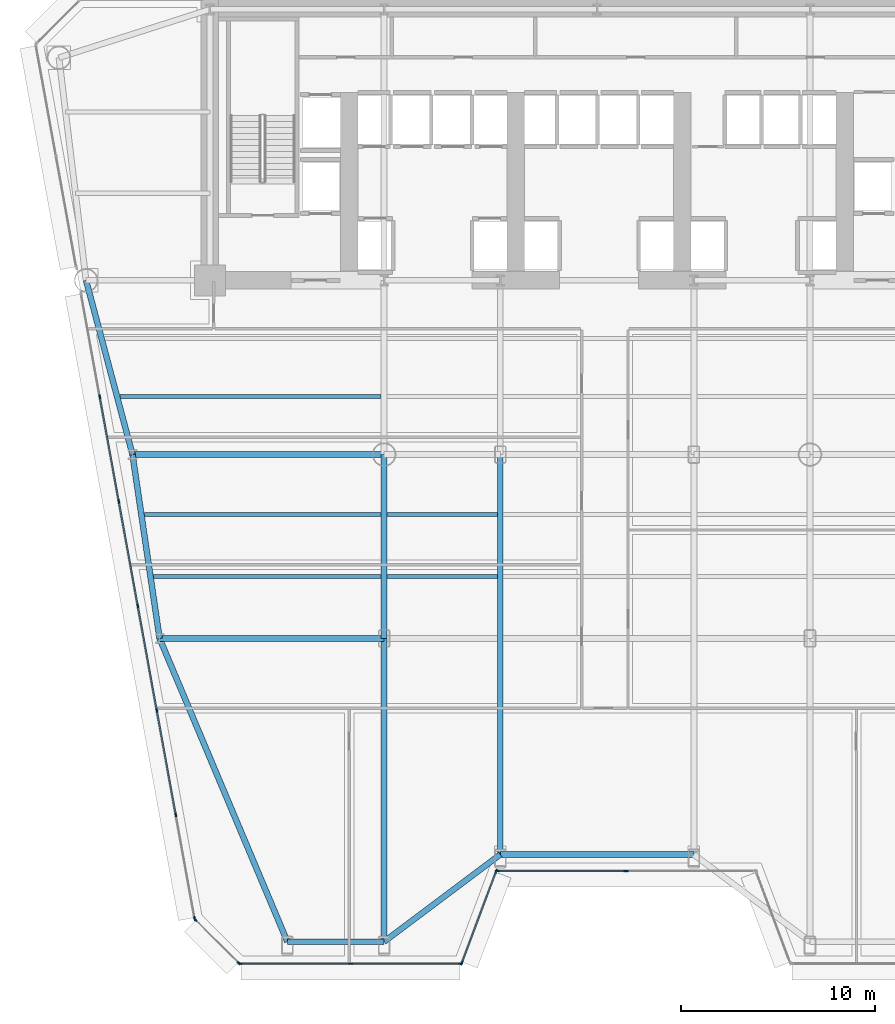
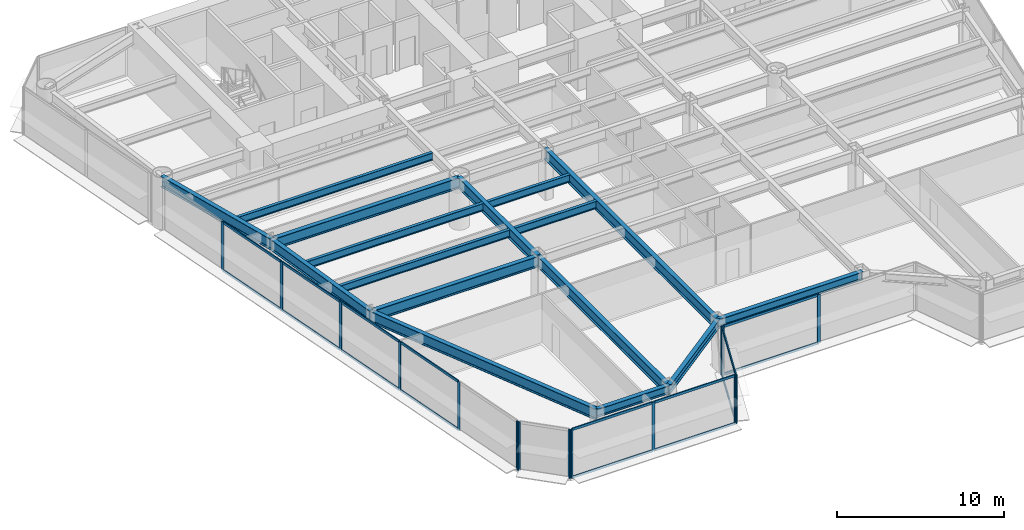
# One storey, part 2 of 14: 31 members, 16 beams, 5 elements without a shape of their own.
"""IFC4 building model written with IfcOpenShell, lengths in metres."""

from ifc_helpers import new_model, si_unit, direction, frame, origin, origin_2d, place, context, subcontext, project, spatial, rectangle, i_section, extrude, source, transform, mapped, material, layer, layer_set, material_profile, profile_set, type_object, element, aggregate, save


model = new_model("IFC4")

# Units and contexts
model_context = context("Model", 3, precision=1e-05, world=origin(), true_north=direction((0.0, 1.0)))
body_context = subcontext(model_context, "Body", "Model", "MODEL_VIEW")
ifc_project = project(units=[si_unit("LENGTHUNIT", "METRE"), si_unit("AREAUNIT", "SQUARE_METRE"), si_unit("VOLUMEUNIT", "CUBIC_METRE"), si_unit("PLANEANGLEUNIT", "RADIAN"), si_unit("MASSUNIT", "GRAM", prefix="KILO")], contexts=[model_context])

# Site, building, storey
site_placement = place(None, origin())
site = spatial("IfcSite", under=ifc_project, at=site_placement, CompositionType="ELEMENT")
building_placement = place(site_placement, origin())
building = spatial("IfcBuilding", under=site, at=building_placement, Name="Vaeldorn Concourse Tower", CompositionType="ELEMENT")
storey_placement = place(building_placement, frame((0.0, 0.0, 37.800048828125)))
storey = spatial("IfcBuildingStorey", under=building, at=storey_placement, Name="L09", CompositionType="ELEMENT", Elevation=37.800048828125)

# Beams
ifc_material_1 = material(Name="Steel S355", Category="steel")
ifc_material_profile_1 = material_profile(ifc_material_1, i_section(OverallWidth=0.300048828125, OverallDepth=0.800048828125, WebThickness=0.017578125, FlangeThickness=0.032958984375, FilletRadius=0.030029296875, at=origin_2d()), Name="HEB 800")
ifc_profile_set_1 = profile_set([ifc_material_profile_1], Name="Steel S355")
beam_type_1 = type_object("IfcBeamType", Name="BM-PG-HEB800", PredefinedType="BEAM", material=ifc_profile_set_1)
shared_shape_1 = source(origin(), body_context, "Body", "SweptSolid", [
    extrude(i_section(OverallWidth=0.300048828125, OverallDepth=0.800048828125, WebThickness=0.017578125, FlangeThickness=0.032958984375, FilletRadius=0.030029296875, at=origin_2d()), origin(), (0.0, 0.0, 1.0), 9.314453125),
])
beam_1_placement = place(storey_placement, frame((7.60009765625, 36.5, 3.179931640625), z_axis=(0.257652862255, -0.966237549763, 0.0), x_axis=(0.966237549763, 0.257652862255, 0.0)))
element("IfcBeam", 1, at=beam_1_placement, inside=storey, type_object=beam_type_1, Name="Beam BM-L09-C-NW2-C-FLW1", PredefinedType="BEAM", context=body_context, shape_type="MappedRepresentation", body=[
    mapped(shared_shape_1, transform((0.0, 0.0, 0.0), scale=1.0)),
])
shared_shape_2 = source(origin(), body_context, "Body", "SweptSolid", [
    extrude(i_section(OverallWidth=0.300048828125, OverallDepth=0.800048828125, WebThickness=0.017578125, FlangeThickness=0.032958984375, FilletRadius=0.030029296875, at=origin_2d()), origin(), (0.0, 0.0, 1.0), 13.0),
])
beam_2_placement = place(storey_placement, frame((10.0, 27.5, 3.179931640625), z_axis=(1.0, 0.0, 0.0), x_axis=(0.0, 1.0, 0.0)))
element("IfcBeam", 2, at=beam_2_placement, inside=storey, type_object=beam_type_1, Name="Beam BM-L09-C-FLW1-C-TW1", PredefinedType="BEAM", context=body_context, shape_type="MappedRepresentation", body=[
    mapped(shared_shape_2, transform((0.0, 0.0, 0.0), scale=1.0)),
])
ifc_material_profile_2 = material_profile(ifc_material_1, i_section(OverallWidth=0.300048828125, OverallDepth=0.60009765625, WebThickness=0.015380859375, FlangeThickness=0.030029296875, FilletRadius=0.027099609375, at=origin_2d()), Name="HEB 600")
ifc_profile_set_2 = profile_set([ifc_material_profile_2], Name="Steel S355")
beam_type_2 = type_object("IfcBeamType", Name="BM-SP-HEB600", PredefinedType="SPANDREL", material=ifc_profile_set_2)
shared_shape_3 = source(origin(), body_context, "Body", "SweptSolid", [
    extrude(i_section(OverallWidth=0.300048828125, OverallDepth=0.60009765625, WebThickness=0.015380859375, FlangeThickness=0.030029296875, FilletRadius=0.027099609375, at=origin_2d()), origin(), (0.0, 0.0, 1.0), 5.0),
])
beam_3_placement = place(storey_placement, frame((18.0, 2.33447265625, 3.280029296875), z_axis=(1.0, 0.0, 0.0), x_axis=(0.0, 1.0, 0.0)))
element("IfcBeam", 3, at=beam_3_placement, inside=storey, type_object=beam_type_2, Name="Beam BM-L09-C-SF1-C-SF2", PredefinedType="SPANDREL", context=body_context, shape_type="MappedRepresentation", body=[
    mapped(shared_shape_3, transform((0.0, 0.0, 0.0), scale=1.0)),
])
shared_shape_4 = source(origin(), body_context, "Body", "SweptSolid", [
    extrude(i_section(OverallWidth=0.300048828125, OverallDepth=0.60009765625, WebThickness=0.015380859375, FlangeThickness=0.030029296875, FilletRadius=0.027099609375, at=origin_2d()), origin(), (0.0, 0.0, 1.0), 7.5),
])
beam_4_placement = place(storey_placement, frame((23.0, 2.33447265625, 3.280029296875), z_axis=(0.8, 0.6, 0.0), x_axis=(-0.6, 0.8, 0.0)))
element("IfcBeam", 4, at=beam_4_placement, inside=storey, type_object=beam_type_2, Name="Beam BM-L09-C-SF2-C-SF3", PredefinedType="SPANDREL", context=body_context, shape_type="MappedRepresentation", body=[
    mapped(shared_shape_4, transform((0.0, 0.0, 0.0), scale=1.0)),
])
shared_shape_5 = source(origin(), body_context, "Body", "SweptSolid", [
    extrude(i_section(OverallWidth=0.300048828125, OverallDepth=0.60009765625, WebThickness=0.015380859375, FlangeThickness=0.030029296875, FilletRadius=0.027099609375, at=origin_2d()), origin(), (0.0, 0.0, 1.0), 10.0),
])
beam_5_placement = place(storey_placement, frame((29.0, 6.83447265625, 3.280029296875), z_axis=(1.0, 0.0, 0.0), x_axis=(0.0, 1.0, 0.0)))
element("IfcBeam", 5, at=beam_5_placement, inside=storey, type_object=beam_type_2, Name="Beam BM-L09-C-SF3-C-SF4", PredefinedType="SPANDREL", context=body_context, shape_type="MappedRepresentation", body=[
    mapped(shared_shape_5, transform((0.0, 0.0, 0.0), scale=1.0)),
])
shared_shape_6 = source(origin(), body_context, "Body", "SweptSolid", [
    extrude(i_section(OverallWidth=0.300048828125, OverallDepth=0.800048828125, WebThickness=0.017578125, FlangeThickness=0.032958984375, FilletRadius=0.030029296875, at=origin_2d()), origin(), (0.0, 0.0, 1.0), 9.6025390625),
])
beam_6_placement = place(storey_placement, frame((10.0, 27.5, 3.179931640625), z_axis=(0.145783835977, -0.989316467652, 0.0), x_axis=(0.989316467652, 0.145783835977, 0.0)))
element("IfcBeam", 6, at=beam_6_placement, inside=storey, type_object=beam_type_1, Name="Beam BM-L09-C-FLW1-C-FLW2", PredefinedType="BEAM", context=body_context, shape_type="MappedRepresentation", body=[
    mapped(shared_shape_6, transform((0.0, 0.0, 0.0), scale=1.0)),
])
shared_shape_7 = source(origin(), body_context, "Body", "SweptSolid", [
    extrude(i_section(OverallWidth=0.300048828125, OverallDepth=0.800048828125, WebThickness=0.017578125, FlangeThickness=0.032958984375, FilletRadius=0.030029296875, at=origin_2d()), origin(), (0.0, 0.0, 1.0), 11.60009765625),
])
beam_7_placement = place(storey_placement, frame((11.39990234375, 18.0, 3.179931640625), z_axis=(1.0, 0.0, 0.0), x_axis=(0.0, 1.0, 0.0)))
element("IfcBeam", 7, at=beam_7_placement, inside=storey, type_object=beam_type_1, Name="Beam BM-L09-C-FLW2-C-TW5", PredefinedType="BEAM", context=body_context, shape_type="MappedRepresentation", body=[
    mapped(shared_shape_7, transform((0.0, 0.0, 0.0), scale=1.0)),
])
shared_shape_8 = source(origin(), body_context, "Body", "SweptSolid", [
    extrude(i_section(OverallWidth=0.300048828125, OverallDepth=0.800048828125, WebThickness=0.017578125, FlangeThickness=0.032958984375, FilletRadius=0.030029296875, at=origin_2d()), origin(), (0.0, 0.0, 1.0), 9.5),
])
beam_8_placement = place(storey_placement, frame((23.0, 18.0, 3.179931640625), z_axis=(0.0, 1.0, 0.0), x_axis=(-1.0, 0.0, 0.0)))
element("IfcBeam", 8, at=beam_8_placement, inside=storey, type_object=beam_type_1, Name="Beam BM-L09-C-TW5-C-TW1", PredefinedType="BEAM", context=body_context, shape_type="MappedRepresentation", body=[
    mapped(shared_shape_8, transform((0.0, 0.0, 0.0), scale=1.0)),
])
ifc_material_profile_3 = material_profile(ifc_material_1, i_section(OverallWidth=0.2099609375, OverallDepth=0.550048828125, WebThickness=0.010986328125, FlangeThickness=0.01708984375, FilletRadius=0.02392578125, at=origin_2d()), Name="IPE 550")
ifc_profile_set_3 = profile_set([ifc_material_profile_3], Name="Steel S355")
beam_type_3 = type_object("IfcBeamType", Name="BM-JS-IPE550", PredefinedType="JOIST", material=ifc_profile_set_3)
shared_shape_9 = source(origin(), body_context, "Body", "SweptSolid", [
    extrude(i_section(OverallWidth=0.2099609375, OverallDepth=0.550048828125, WebThickness=0.010986328125, FlangeThickness=0.01708984375, FilletRadius=0.02392578125, at=origin_2d()), origin(), (0.0, 0.0, 1.0), 11.771728515625),
])
beam_9_placement = place(storey_placement, frame((11.078369140625, 21.199951171875, 3.304931640625), z_axis=(1.0, 0.0, 0.0), x_axis=(0.0, 1.0, 0.0)))
element("IfcBeam", 9, at=beam_9_placement, inside=storey, type_object=beam_type_3, Name="Beam JS-L09-W1-212", PredefinedType="JOIST", context=body_context, shape_type="MappedRepresentation", body=[
    mapped(shared_shape_9, transform((0.0, 0.0, 0.0), scale=1.0)),
])
shared_shape_10 = source(origin(), body_context, "Body", "SweptSolid", [
    extrude(i_section(OverallWidth=0.2099609375, OverallDepth=0.550048828125, WebThickness=0.010986328125, FlangeThickness=0.01708984375, FilletRadius=0.02392578125, at=origin_2d()), origin(), (0.0, 0.0, 1.0), 5.7001953125),
])
for number, where, z_axis, x_axis, name in (
    (10, (23.14990234375, 21.199951171875, 3.304931640625), (1.0, 0.0, 0.0), (0.0, 1.0, 0.0), "Beam JS-L09-W2-212"),
    (11, (23.14990234375, 24.39990234375, 3.304931640625), (1.0, 0.0, 0.0), (0.0, 1.0, 0.0), "Beam JS-L09-W2-244"),
):
    element("IfcBeam", number, at=place(storey_placement, frame(where, z_axis=z_axis, x_axis=x_axis)), inside=storey, type_object=beam_type_3, Name=name, PredefinedType="JOIST", context=body_context, shape_type="MappedRepresentation", body=[
        mapped(shared_shape_10, transform((0.0, 0.0, 0.0), scale=1.0)),
    ])
shared_shape_11 = source(origin(), body_context, "Body", "SweptSolid", [
    extrude(i_section(OverallWidth=0.2099609375, OverallDepth=0.550048828125, WebThickness=0.010986328125, FlangeThickness=0.01708984375, FilletRadius=0.02392578125, at=origin_2d()), origin(), (0.0, 0.0, 1.0), 12.243408203125),
])
beam_10_placement = place(storey_placement, frame((10.606689453125, 24.39990234375, 3.304931640625), z_axis=(1.0, 0.0, 0.0), x_axis=(0.0, 1.0, 0.0)))
element("IfcBeam", 12, at=beam_10_placement, inside=storey, type_object=beam_type_3, Name="Beam JS-L09-W1-244", PredefinedType="JOIST", context=body_context, shape_type="MappedRepresentation", body=[
    mapped(shared_shape_11, transform((0.0, 0.0, 0.0), scale=1.0)),
])
shared_shape_12 = source(origin(), body_context, "Body", "SweptSolid", [
    extrude(i_section(OverallWidth=0.2099609375, OverallDepth=0.550048828125, WebThickness=0.010986328125, FlangeThickness=0.01708984375, FilletRadius=0.02392578125, at=origin_2d()), origin(), (0.0, 0.0, 1.0), 13.5),
])
beam_11_placement = place(storey_placement, frame((9.35009765625, 30.5, 3.304931640625), z_axis=(1.0, 0.0, 0.0), x_axis=(0.0, 1.0, 0.0)))
element("IfcBeam", 13, at=beam_11_placement, inside=storey, type_object=beam_type_3, Name="Beam JS-L09-W1-305", PredefinedType="JOIST", context=body_context, shape_type="MappedRepresentation", body=[
    mapped(shared_shape_12, transform((0.0, 0.0, 0.0), scale=1.0)),
])
shared_shape_13 = source(origin(), body_context, "Body", "SweptSolid", [
    extrude(i_section(OverallWidth=0.300048828125, OverallDepth=0.800048828125, WebThickness=0.017578125, FlangeThickness=0.032958984375, FilletRadius=0.030029296875, at=origin_2d()), origin(), (0.0, 0.0, 1.0), 16.9990234375),
])
beam_12_placement = place(storey_placement, frame((18.0, 2.33447265625, 3.179931640625), z_axis=(-0.388261166886, 0.921549383532, 0.0), x_axis=(-0.921549383532, -0.388261166886, 0.0)))
element("IfcBeam", 14, at=beam_12_placement, inside=storey, type_object=beam_type_1, Name="Beam BM-L09-C-SF1-C-FLW2", PredefinedType="BEAM", context=body_context, shape_type="MappedRepresentation", body=[
    mapped(shared_shape_13, transform((0.0, 0.0, 0.0), scale=1.0)),
])
shared_shape_14 = source(origin(), body_context, "Body", "SweptSolid", [
    extrude(i_section(OverallWidth=0.300048828125, OverallDepth=0.800048828125, WebThickness=0.017578125, FlangeThickness=0.032958984375, FilletRadius=0.030029296875, at=origin_2d()), origin(), (0.0, 0.0, 1.0), 15.66552734375),
])
beam_13_placement = place(storey_placement, frame((23.0, 2.33447265625, 3.179931640625), z_axis=(0.0, 1.0, 0.0), x_axis=(-1.0, 0.0, 0.0)))
element("IfcBeam", 15, at=beam_13_placement, inside=storey, type_object=beam_type_1, Name="Beam BM-L09-C-SF2-C-TW5", PredefinedType="BEAM", context=body_context, shape_type="MappedRepresentation", body=[
    mapped(shared_shape_14, transform((0.0, 0.0, 0.0), scale=1.0)),
])
shared_shape_15 = source(origin(), body_context, "Body", "SweptSolid", [
    extrude(i_section(OverallWidth=0.300048828125, OverallDepth=0.800048828125, WebThickness=0.017578125, FlangeThickness=0.032958984375, FilletRadius=0.030029296875, at=origin_2d()), origin(), (0.0, 0.0, 1.0), 20.66552734375),
])
beam_14_placement = place(storey_placement, frame((29.0, 6.83447265625, 3.179931640625), z_axis=(0.0, 1.0, 0.0), x_axis=(-1.0, 0.0, 0.0)))
element("IfcBeam", 16, at=beam_14_placement, inside=storey, type_object=beam_type_1, Name="Beam BM-L09-C-SF3-C-TW2", PredefinedType="BEAM", context=body_context, shape_type="MappedRepresentation", body=[
    mapped(shared_shape_15, transform((0.0, 0.0, 0.0), scale=1.0)),
])

# Curtain wall, members
ifc_material_2 = material(Name="Anodised Bronze Aluminium", Category="aluminium")
ifc_layer = layer(ifc_material_2, 0.219970703125)
ifc_layer_set = layer_set([ifc_layer], Name="Anodised Bronze Aluminium")
curtain_wall_type = type_object("IfcCurtainWallType", Name="CW-SYS-01", PredefinedType="NOTDEFINED", material=ifc_layer_set)
curtain_wall_1_placement = place(storey_placement, origin())
curtain_wall_1 = element("IfcCurtainWall", 17, at=curtain_wall_1_placement, inside=storey, type_object=curtain_wall_type, Name="Unitised Curtain Wall CW-L09-E01-1", PredefinedType="NOTDEFINED")
ifc_material_profile_4 = material_profile(ifc_material_2, rectangle(XDim=0.074951171875, YDim=0.219970703125, at=origin_2d()), Name="CWM 75x220")
ifc_profile_set_4 = profile_set([ifc_material_profile_4], Name="Anodised Bronze Aluminium")
member_type_1 = type_object("IfcMemberType", Name="CWM-BRONZE-220", PredefinedType="MULLION", material=ifc_profile_set_4)
shared_shape_16 = source(origin(), body_context, "Body", "SweptSolid", [
    extrude(rectangle(XDim=0.074951171875, YDim=0.219970703125, at=origin_2d()), origin(), (0.0, 0.0, 1.0), 3.579833984375),
])
member_1_placement = place(storey_placement, frame((15.555419921875, 1.1953125, 0.0), z_axis=(0.0, 0.0, 1.0), x_axis=(0.0, 1.0, 0.0)))
member_1 = element("IfcMember", 18, at=member_1_placement, type_object=member_type_1, Name="CW-01 mullion 1", PredefinedType="MULLION", context=body_context, shape_type="MappedRepresentation", body=[
    mapped(shared_shape_16, transform((0.0, 0.0, 0.0), scale=1.0)),
])
member_2_placement = place(storey_placement, frame((21.2587890625, 1.1953125, 0.0), z_axis=(0.0, 0.0, 1.0), x_axis=(0.0, 1.0, 0.0)))
member_2 = element("IfcMember", 19, at=member_2_placement, type_object=member_type_1, Name="CW-01 mullion 2", PredefinedType="MULLION", context=body_context, shape_type="MappedRepresentation", body=[
    mapped(shared_shape_16, transform((0.0, 0.0, 0.0), scale=1.0)),
])
member_3_placement = place(storey_placement, frame((26.96240234375, 1.1953125, 0.0), z_axis=(0.0, 0.0, 1.0), x_axis=(0.0, 1.0, 0.0)))
member_3 = element("IfcMember", 20, at=member_3_placement, type_object=member_type_1, Name="CW-01 mullion 3", PredefinedType="MULLION", context=body_context, shape_type="MappedRepresentation", body=[
    mapped(shared_shape_16, transform((0.0, 0.0, 0.0), scale=1.0)),
])

curtain_wall_2_placement = place(storey_placement, origin())
curtain_wall_2 = element("IfcCurtainWall", 21, at=curtain_wall_2_placement, inside=storey, type_object=curtain_wall_type, Name="Unitised Curtain Wall CW-L09-E02-1", PredefinedType="NOTDEFINED")
member_4_placement = place(storey_placement, frame((27.01318359375, 1.23046875, 0.0), z_axis=(0.0, 0.0, 1.0), x_axis=(-0.936329177566, 0.351123441595, 0.0)))
member_4 = element("IfcMember", 22, at=member_4_placement, type_object=member_type_1, Name="CW-01 mullion 1", PredefinedType="MULLION", context=body_context, shape_type="MappedRepresentation", body=[
    mapped(shared_shape_16, transform((0.0, 0.0, 0.0), scale=1.0)),
])
member_5_placement = place(storey_placement, frame((28.786865234375, 5.960205078125, 0.0), z_axis=(0.0, 0.0, 1.0), x_axis=(-0.936329177566, 0.351123441595, 0.0)))
member_5 = element("IfcMember", 23, at=member_5_placement, type_object=member_type_1, Name="CW-01 mullion 2", PredefinedType="MULLION", context=body_context, shape_type="MappedRepresentation", body=[
    mapped(shared_shape_16, transform((0.0, 0.0, 0.0), scale=1.0)),
])

curtain_wall_3_placement = place(storey_placement, origin())
curtain_wall_3 = element("IfcCurtainWall", 24, at=curtain_wall_3_placement, inside=storey, type_object=curtain_wall_type, Name="Unitised Curtain Wall CW-L09-E03-1", PredefinedType="NOTDEFINED")
member_6_placement = place(storey_placement, frame((28.83740234375, 5.995361328125, 0.0), z_axis=(0.0, 0.0, 1.0), x_axis=(0.0, 1.0, 0.0)))
member_6 = element("IfcMember", 25, at=member_6_placement, type_object=member_type_1, Name="CW-01 mullion 1", PredefinedType="MULLION", context=body_context, shape_type="MappedRepresentation", body=[
    mapped(shared_shape_16, transform((0.0, 0.0, 0.0), scale=1.0)),
])
member_7_placement = place(storey_placement, frame((35.5, 5.995361328125, 0.0), z_axis=(0.0, 0.0, 1.0), x_axis=(0.0, 1.0, 0.0)))
member_7 = element("IfcMember", 26, at=member_7_placement, type_object=member_type_1, Name="CW-01 mullion 2", PredefinedType="MULLION", context=body_context, shape_type="MappedRepresentation", body=[
    mapped(shared_shape_16, transform((0.0, 0.0, 0.0), scale=1.0)),
])

curtain_wall_4_placement = place(storey_placement, origin())
curtain_wall_4 = element("IfcCurtainWall", 27, at=curtain_wall_4_placement, inside=storey, type_object=curtain_wall_type, Name="Unitised Curtain Wall CW-L09-E11-2", PredefinedType="NOTDEFINED")
member_8_placement = place(storey_placement, frame((8.311767578125, 30.48291015625, 0.0), z_axis=(0.0, 0.0, 1.0), x_axis=(0.98387472201, 0.178858970673, 0.0)))
member_8 = element("IfcMember", 28, at=member_8_placement, type_object=member_type_1, Name="CW-01 mullion 2", PredefinedType="MULLION", context=body_context, shape_type="MappedRepresentation", body=[
    mapped(shared_shape_16, transform((0.0, 0.0, 0.0), scale=1.0)),
])
member_9_placement = place(storey_placement, frame((9.29296875, 25.08544921875, 0.0), z_axis=(0.0, 0.0, 1.0), x_axis=(0.98387472201, 0.178858970673, 0.0)))
member_9 = element("IfcMember", 29, at=member_9_placement, type_object=member_type_1, Name="CW-01 mullion 3", PredefinedType="MULLION", context=body_context, shape_type="MappedRepresentation", body=[
    mapped(shared_shape_16, transform((0.0, 0.0, 0.0), scale=1.0)),
])
member_10_placement = place(storey_placement, frame((10.274169921875, 19.68798828125, 0.0), z_axis=(0.0, 0.0, 1.0), x_axis=(0.98387472201, 0.178858970673, 0.0)))
member_10 = element("IfcMember", 30, at=member_10_placement, type_object=member_type_1, Name="CW-01 mullion 4", PredefinedType="MULLION", context=body_context, shape_type="MappedRepresentation", body=[
    mapped(shared_shape_16, transform((0.0, 0.0, 0.0), scale=1.0)),
])
member_11_placement = place(storey_placement, frame((11.25537109375, 14.29052734375, 0.0), z_axis=(0.0, 0.0, 1.0), x_axis=(0.98387472201, 0.178858970673, 0.0)))
member_11 = element("IfcMember", 31, at=member_11_placement, type_object=member_type_1, Name="CW-01 mullion 5", PredefinedType="MULLION", context=body_context, shape_type="MappedRepresentation", body=[
    mapped(shared_shape_16, transform((0.0, 0.0, 0.0), scale=1.0)),
])
member_12_placement = place(storey_placement, frame((12.236572265625, 8.892822265625, 0.0), z_axis=(0.0, 0.0, 1.0), x_axis=(0.98387472201, 0.178858970673, 0.0)))
member_12 = element("IfcMember", 32, at=member_12_placement, type_object=member_type_1, Name="CW-01 mullion 6", PredefinedType="MULLION", context=body_context, shape_type="MappedRepresentation", body=[
    mapped(shared_shape_16, transform((0.0, 0.0, 0.0), scale=1.0)),
])
member_13_placement = place(storey_placement, frame((13.211181640625, 3.5322265625, 0.0), z_axis=(0.0, 0.0, 1.0), x_axis=(0.98387472201, 0.178858970673, 0.0)))
member_13 = element("IfcMember", 33, at=member_13_placement, type_object=member_type_1, Name="CW-01 mullion 7", PredefinedType="MULLION", context=body_context, shape_type="MappedRepresentation", body=[
    mapped(shared_shape_16, transform((0.0, 0.0, 0.0), scale=1.0)),
])

curtain_wall_5_placement = place(storey_placement, origin())
curtain_wall_5 = element("IfcCurtainWall", 34, at=curtain_wall_5_placement, inside=storey, type_object=curtain_wall_type, Name="Unitised Curtain Wall CW-L09-E12-1", PredefinedType="NOTDEFINED")
member_14_placement = place(storey_placement, frame((13.244384765625, 3.468994140625, 0.0), z_axis=(0.0, 0.0, 1.0), x_axis=(0.707106781187, 0.707106781187, 0.0)))
member_14 = element("IfcMember", 35, at=member_14_placement, type_object=member_type_1, Name="CW-01 mullion 1", PredefinedType="MULLION", context=body_context, shape_type="MappedRepresentation", body=[
    mapped(shared_shape_16, transform((0.0, 0.0, 0.0), scale=1.0)),
])
member_15_placement = place(storey_placement, frame((15.4912109375, 1.221923828125, 0.0), z_axis=(0.0, 0.0, 1.0), x_axis=(0.707106781187, 0.707106781187, 0.0)))
member_15 = element("IfcMember", 36, at=member_15_placement, type_object=member_type_1, Name="CW-01 mullion 2", PredefinedType="MULLION", context=body_context, shape_type="MappedRepresentation", body=[
    mapped(shared_shape_16, transform((0.0, 0.0, 0.0), scale=1.0)),
])
aggregate(curtain_wall_5, [member_14, member_15])

# Member
ifc_material_profile_5 = material_profile(ifc_material_2, rectangle(XDim=0.074951171875, YDim=0.179931640625, at=origin_2d()), Name="CWT 75x180")
ifc_profile_set_5 = profile_set([ifc_material_profile_5], Name="Anodised Bronze Aluminium")
member_type_2 = type_object("IfcMemberType", Name="CWT-BRONZE-180", PredefinedType="USERDEFINED", material=ifc_profile_set_5)
shared_shape_17 = source(origin(), body_context, "Body", "SweptSolid", [
    extrude(rectangle(XDim=0.074951171875, YDim=0.179931640625, at=origin_2d()), origin(), (0.0, 0.0, 1.0), 6.58740234375),
])
member_16_placement = place(storey_placement, frame((28.875, 5.995361328125, 0.037353515625), z_axis=(1.0, 0.0, 0.0), x_axis=(0.0, 1.0, 0.0)))
member_16 = element("IfcMember", 37, at=member_16_placement, type_object=member_type_2, Name="CW-01 transom 1.1", ObjectType="TRANSOM", PredefinedType="USERDEFINED", context=body_context, shape_type="MappedRepresentation", body=[
    mapped(shared_shape_17, transform((0.0, 0.0, 0.0), scale=1.0)),
])

member_17_placement = place(storey_placement, frame((28.875, 5.995361328125, 3.54248046875), z_axis=(1.0, 0.0, 0.0), x_axis=(0.0, 1.0, 0.0)))
member_17 = element("IfcMember", 38, at=member_17_placement, type_object=member_type_2, Name="CW-01 transom 1.2", ObjectType="TRANSOM", PredefinedType="USERDEFINED", context=body_context, shape_type="MappedRepresentation", body=[
    mapped(shared_shape_17, transform((0.0, 0.0, 0.0), scale=1.0)),
])

aggregate(curtain_wall_3, [member_6, member_7, member_16, member_17])

shared_shape_18 = source(origin(), body_context, "Body", "SweptSolid", [
    extrude(rectangle(XDim=0.074951171875, YDim=0.179931640625, at=origin_2d()), origin(), (0.0, 0.0, 1.0), 4.9765625),
])
member_18_placement = place(storey_placement, frame((27.0263671875, 1.265625, 0.037353515625), z_axis=(0.351112688987, 0.936333209724, 0.0), x_axis=(-0.936333209724, 0.351112688987, 0.0)))
member_18 = element("IfcMember", 39, at=member_18_placement, type_object=member_type_2, Name="CW-01 transom 1.1", ObjectType="TRANSOM", PredefinedType="USERDEFINED", context=body_context, shape_type="MappedRepresentation", body=[
    mapped(shared_shape_18, transform((0.0, 0.0, 0.0), scale=1.0)),
])

member_19_placement = place(storey_placement, frame((27.0263671875, 1.265625, 3.54248046875), z_axis=(0.351112688987, 0.936333209724, 0.0), x_axis=(-0.936333209724, 0.351112688987, 0.0)))
member_19 = element("IfcMember", 40, at=member_19_placement, type_object=member_type_2, Name="CW-01 transom 1.2", ObjectType="TRANSOM", PredefinedType="USERDEFINED", context=body_context, shape_type="MappedRepresentation", body=[
    mapped(shared_shape_18, transform((0.0, 0.0, 0.0), scale=1.0)),
])

aggregate(curtain_wall_2, [member_4, member_5, member_18, member_19])

shared_shape_19 = source(origin(), body_context, "Body", "SweptSolid", [
    extrude(rectangle(XDim=0.074951171875, YDim=0.179931640625, at=origin_2d()), origin(), (0.0, 0.0, 1.0), 5.628662109375),
])
member_20_placement = place(storey_placement, frame((15.5927734375, 1.1953125, 0.037353515625), z_axis=(1.0, 0.0, 0.0), x_axis=(0.0, 1.0, 0.0)))
member_20 = element("IfcMember", 41, at=member_20_placement, type_object=member_type_2, Name="CW-01 transom 1.1", ObjectType="TRANSOM", PredefinedType="USERDEFINED", context=body_context, shape_type="MappedRepresentation", body=[
    mapped(shared_shape_19, transform((0.0, 0.0, 0.0), scale=1.0)),
])

member_21_placement = place(storey_placement, frame((15.5927734375, 1.1953125, 3.54248046875), z_axis=(1.0, 0.0, 0.0), x_axis=(0.0, 1.0, 0.0)))
member_21 = element("IfcMember", 42, at=member_21_placement, type_object=member_type_2, Name="CW-01 transom 1.2", ObjectType="TRANSOM", PredefinedType="USERDEFINED", context=body_context, shape_type="MappedRepresentation", body=[
    mapped(shared_shape_19, transform((0.0, 0.0, 0.0), scale=1.0)),
])

member_22_placement = place(storey_placement, frame((21.29638671875, 1.1953125, 0.037353515625), z_axis=(1.0, 0.0, 0.0), x_axis=(0.0, 1.0, 0.0)))
member_22 = element("IfcMember", 43, at=member_22_placement, type_object=member_type_2, Name="CW-01 transom 2.1", ObjectType="TRANSOM", PredefinedType="USERDEFINED", context=body_context, shape_type="MappedRepresentation", body=[
    mapped(shared_shape_19, transform((0.0, 0.0, 0.0), scale=1.0)),
])

member_23_placement = place(storey_placement, frame((21.29638671875, 1.1953125, 3.54248046875), z_axis=(1.0, 0.0, 0.0), x_axis=(0.0, 1.0, 0.0)))
member_23 = element("IfcMember", 44, at=member_23_placement, type_object=member_type_2, Name="CW-01 transom 2.2", ObjectType="TRANSOM", PredefinedType="USERDEFINED", context=body_context, shape_type="MappedRepresentation", body=[
    mapped(shared_shape_19, transform((0.0, 0.0, 0.0), scale=1.0)),
])

aggregate(curtain_wall_1, [member_1, member_2, member_3, member_20, member_21, member_22, member_23])

shared_shape_20 = source(origin(), body_context, "Body", "SweptSolid", [
    extrude(rectangle(XDim=0.074951171875, YDim=0.179931640625, at=origin_2d()), origin(), (0.0, 0.0, 1.0), 5.410888671875),
])
member_24_placement = place(storey_placement, frame((8.318359375, 30.446044921875, 0.037353515625), z_axis=(0.178853673983, -0.983875684882, 0.0), x_axis=(0.983875684882, 0.178853673983, 0.0)))
member_24 = element("IfcMember", 45, at=member_24_placement, type_object=member_type_2, Name="CW-01 transom 2.1", ObjectType="TRANSOM", PredefinedType="USERDEFINED", context=body_context, shape_type="MappedRepresentation", body=[
    mapped(shared_shape_20, transform((0.0, 0.0, 0.0), scale=1.0)),
])

member_25_placement = place(storey_placement, frame((8.318359375, 30.446044921875, 3.54248046875), z_axis=(0.178853673983, -0.983875684882, 0.0), x_axis=(0.983875684882, 0.178853673983, 0.0)))
member_25 = element("IfcMember", 46, at=member_25_placement, type_object=member_type_2, Name="CW-01 transom 2.2", ObjectType="TRANSOM", PredefinedType="USERDEFINED", context=body_context, shape_type="MappedRepresentation", body=[
    mapped(shared_shape_20, transform((0.0, 0.0, 0.0), scale=1.0)),
])

member_26_placement = place(storey_placement, frame((9.299560546875, 25.048583984375, 0.037353515625), z_axis=(0.178853673983, -0.983875684882, 0.0), x_axis=(0.983875684882, 0.178853673983, 0.0)))
member_26 = element("IfcMember", 47, at=member_26_placement, type_object=member_type_2, Name="CW-01 transom 3.1", ObjectType="TRANSOM", PredefinedType="USERDEFINED", context=body_context, shape_type="MappedRepresentation", body=[
    mapped(shared_shape_20, transform((0.0, 0.0, 0.0), scale=1.0)),
])

member_27_placement = place(storey_placement, frame((9.299560546875, 25.048583984375, 3.54248046875), z_axis=(0.178853673983, -0.983875684882, 0.0), x_axis=(0.983875684882, 0.178853673983, 0.0)))
member_27 = element("IfcMember", 48, at=member_27_placement, type_object=member_type_2, Name="CW-01 transom 3.2", ObjectType="TRANSOM", PredefinedType="USERDEFINED", context=body_context, shape_type="MappedRepresentation", body=[
    mapped(shared_shape_20, transform((0.0, 0.0, 0.0), scale=1.0)),
])

member_28_placement = place(storey_placement, frame((11.261962890625, 14.25341796875, 0.037353515625), z_axis=(0.178905291462, -0.983866300209, 0.0), x_axis=(0.983866300209, 0.178905291462, 0.0)))
member_28 = element("IfcMember", 49, at=member_28_placement, type_object=member_type_2, Name="CW-01 transom 5.1", ObjectType="TRANSOM", PredefinedType="USERDEFINED", context=body_context, shape_type="MappedRepresentation", body=[
    mapped(shared_shape_20, transform((0.0, 0.0, 0.0), scale=1.0)),
])

member_29_placement = place(storey_placement, frame((11.261962890625, 14.25341796875, 3.54248046875), z_axis=(0.178905291462, -0.983866300209, 0.0), x_axis=(0.983866300209, 0.178905291462, 0.0)))
member_29 = element("IfcMember", 50, at=member_29_placement, type_object=member_type_2, Name="CW-01 transom 5.2", ObjectType="TRANSOM", PredefinedType="USERDEFINED", context=body_context, shape_type="MappedRepresentation", body=[
    mapped(shared_shape_20, transform((0.0, 0.0, 0.0), scale=1.0)),
])

shared_shape_21 = source(origin(), body_context, "Body", "SweptSolid", [
    extrude(rectangle(XDim=0.074951171875, YDim=0.179931640625, at=origin_2d()), origin(), (0.0, 0.0, 1.0), 5.4111328125),
])
member_30_placement = place(storey_placement, frame((10.28076171875, 19.651123046875, 0.037353515625), z_axis=(0.178897349637, -0.98386774431, 0.0), x_axis=(0.98386774431, 0.178897349637, 0.0)))
member_30 = element("IfcMember", 51, at=member_30_placement, type_object=member_type_2, Name="CW-01 transom 4.1", ObjectType="TRANSOM", PredefinedType="USERDEFINED", context=body_context, shape_type="MappedRepresentation", body=[
    mapped(shared_shape_21, transform((0.0, 0.0, 0.0), scale=1.0)),
])

member_31_placement = place(storey_placement, frame((10.28076171875, 19.651123046875, 3.54248046875), z_axis=(0.178897349637, -0.98386774431, 0.0), x_axis=(0.98386774431, 0.178897349637, 0.0)))
member_31 = element("IfcMember", 52, at=member_31_placement, type_object=member_type_2, Name="CW-01 transom 4.2", ObjectType="TRANSOM", PredefinedType="USERDEFINED", context=body_context, shape_type="MappedRepresentation", body=[
    mapped(shared_shape_21, transform((0.0, 0.0, 0.0), scale=1.0)),
])

aggregate(curtain_wall_4, [member_8, member_9, member_10, member_11, member_12, member_13, member_24, member_25, member_26, member_27, member_30, member_31, member_28, member_29])

save(model, "model.ifc")
